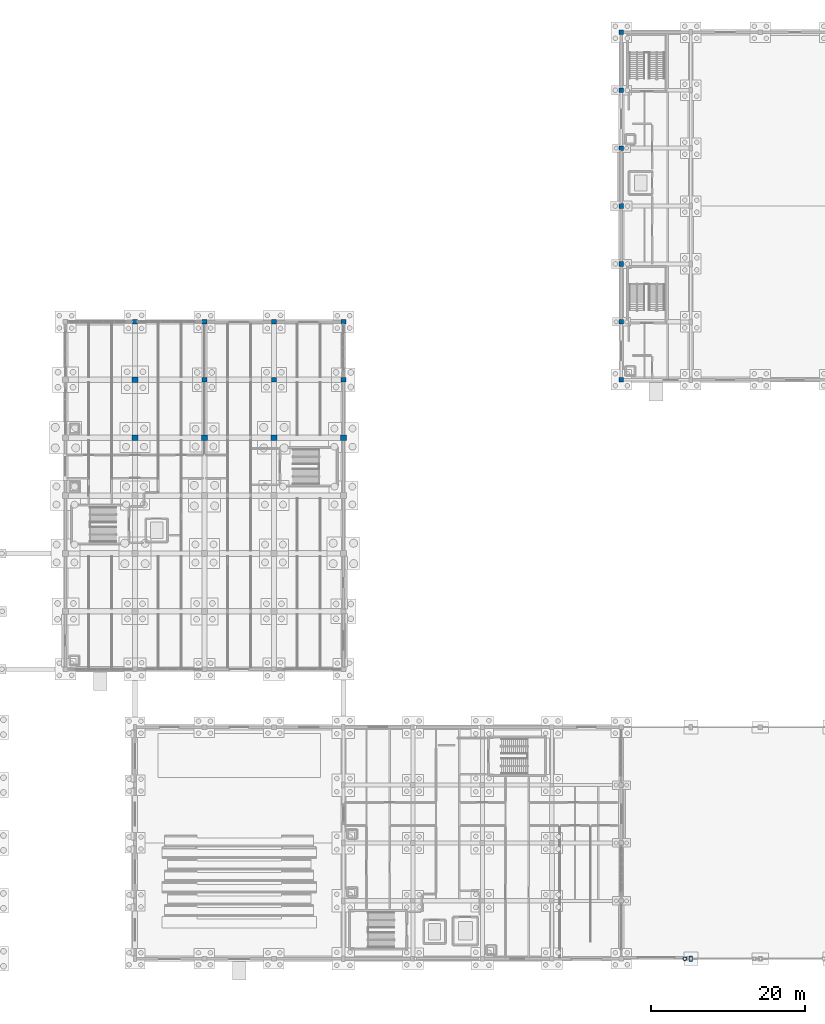
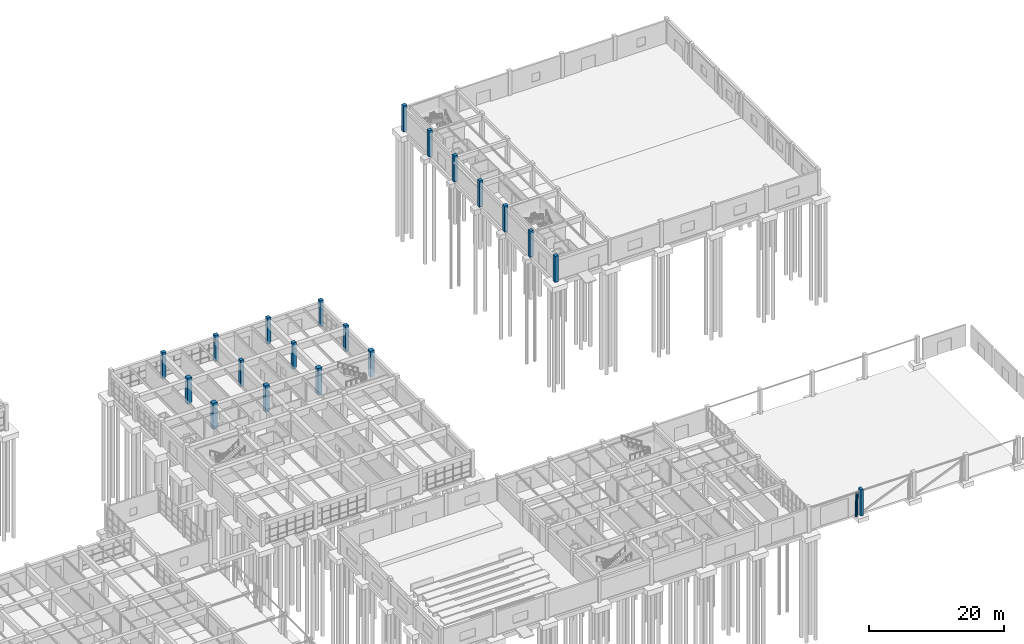
# One storey, part 13 of 93: 21 columns.
"""IFC4 building model written with IfcOpenShell, lengths in metres."""

from ifc_helpers import new_model, si_unit, direction, frame, origin, origin_2d, place, context, subcontext, project, spatial, rectangle, hollow_circle, extrude, material, material_profile, profile_set, type_object, element, save


model = new_model("IFC4")

# Units and contexts
model_context = context("Model", 3, precision=1e-05, world=origin(), true_north=direction((0.0, 1.0)))
body_context = subcontext(model_context, "Body", "Model", "MODEL_VIEW")
ifc_project = project(units=[si_unit("LENGTHUNIT", "METRE"), si_unit("AREAUNIT", "SQUARE_METRE"), si_unit("VOLUMEUNIT", "CUBIC_METRE"), si_unit("PLANEANGLEUNIT", "RADIAN"), si_unit("MASSUNIT", "GRAM", prefix="KILO")], contexts=[model_context])

# Site, building, storey
site_placement = place(None, origin())
site = spatial("IfcSite", under=ifc_project, at=site_placement, CompositionType="ELEMENT")
building_placement = place(site_placement, origin())
building = spatial("IfcBuilding", under=site, at=building_placement, Name="Marnridge Secondary College", CompositionType="ELEMENT")
storey_placement = place(building_placement, origin())
storey = spatial("IfcBuildingStorey", under=building, at=storey_placement, Name="L00", CompositionType="ELEMENT", Elevation=0.0)

# Columns
ifc_material_1 = material(Name="Cold-formed steel Grade C350L0 (AS/NZS 1163, fy = 350 MPa)", Category="steel")
ifc_material_profile_1 = material_profile(ifc_material_1, hollow_circle(Radius=0.228515625, WallThickness=0.0126953125, at=origin_2d()), Name="457.0x12.7CHS")
ifc_profile_set_1 = profile_set([ifc_material_profile_1], Name="Cold-formed steel Grade C350L0 (AS/NZS 1163, fy = 350 MPa)")
column_type_1 = type_object("IfcColumnType", Name="CL-CHS457-EXT", PredefinedType="PILASTER", material=ifc_profile_set_1)
column_1_placement = place(storey_placement, frame((134.199951171875, 0.0, -0.25), z_axis=(0.02841796458, 0.0, 0.999596128088), x_axis=(0.0, 1.0, 0.0)))
element("IfcColumn", 1, at=column_1_placement, inside=storey, type_object=column_type_1, Name="Inclined pilaster strut CP-0648", PredefinedType="PILASTER", context=body_context, shape_type="SweptSolid", body=[
    extrude(hollow_circle(Radius=0.228515625, WallThickness=0.0126953125, at=origin_2d()), origin(), (0.0, 0.0, 1.0), 4.226806640625),
])
ifc_material_2 = material(Name="Concrete C40/50 (AS 3600 N40, 40 MPa)", Category="concrete")
ifc_material_profile_2 = material_profile(ifc_material_2, rectangle(XDim=0.449951171875, YDim=0.75, at=origin_2d()), Name="RC 450x750")
ifc_profile_set_2 = profile_set([ifc_material_profile_2], Name="Concrete C40/50 (AS 3600 N40, 40 MPa)")
column_type_2 = type_object("IfcColumnType", Name="CL-RC4575-EXT", PredefinedType="COLUMN", material=ifc_profile_set_2)
column_2_placement = place(storey_placement, frame((135.0, 0.0, -0.25), z_axis=(0.0, 0.0, 1.0), x_axis=(1.0, 0.0, 0.0)))
element("IfcColumn", 2, at=column_2_placement, inside=storey, type_object=column_type_2, Name="Column C-L00-0049", PredefinedType="COLUMN", context=body_context, shape_type="SweptSolid", body=[
    extrude(rectangle(XDim=0.449951171875, YDim=0.75, at=origin_2d()), origin(), (0.0, 0.0, 1.0), 4.75),
])
ifc_material_3 = material(Name="Concrete C40/50 (AS 3600 N40, 40 MPa)", Category="concrete")
ifc_material_profile_3 = material_profile(ifc_material_3, rectangle(XDim=0.60009765625, YDim=0.60009765625, at=origin_2d()), Name="RC 600x600")
ifc_profile_set_3 = profile_set([ifc_material_profile_3], Name="Concrete C40/50 (AS 3600 N40, 40 MPa)")
column_type_3 = type_object("IfcColumnType", Name="CL-RC600-EXT", PredefinedType="COLUMN", material=ifc_profile_set_3)
for number, where, z_axis, x_axis, name in (
    (3, (90.0, 75.0, -0.25), (0.0, 0.0, 1.0), (1.0, 0.0, 0.0), "Column C-L00-0448"),
    (4, (126.0, 75.0, -0.25), (0.0, 0.0, 1.0), (1.0, 0.0, 0.0), "Column C-L00-0452"),
    (5, (63.0, 82.5, -0.25), (0.0, 0.0, 1.0), (1.0, 0.0, 0.0), "Column C-L00-0485"),
    (6, (72.0, 82.5, -0.25), (0.0, 0.0, 1.0), (1.0, 0.0, 0.0), "Column C-L00-0488"),
    (7, (81.0, 82.5, -0.25), (0.0, 0.0, 1.0), (1.0, 0.0, 0.0), "Column C-L00-0491"),
    (8, (90.0, 82.5, -0.25), (0.0, 0.0, 1.0), (1.0, 0.0, 0.0), "Column C-L00-0494"),
    (9, (126.0, 82.5, -0.25), (0.0, 0.0, 1.0), (1.0, 0.0, 0.0), "Column C-L00-0497"),
    (10, (126.0, 90.0, -0.25), (0.0, 0.0, 1.0), (1.0, 0.0, 0.0), "Column C-L00-0523"),
    (11, (126.0, 97.5, -0.25), (0.0, 0.0, 1.0), (1.0, 0.0, 0.0), "Column C-L00-0549"),
    (12, (126.0, 105.0, -0.25), (0.0, 0.0, 1.0), (1.0, 0.0, 0.0), "Column C-L00-0575"),
    (13, (126.0, 112.5, -0.25), (0.0, 0.0, 1.0), (1.0, 0.0, 0.0), "Column C-L00-0601"),
    (14, (126.0, 120.0, -0.25), (0.0, 0.0, 1.0), (1.0, 0.0, 0.0), "Column C-L00-0627"),
):
    element("IfcColumn", number, at=place(storey_placement, frame(where, z_axis=z_axis, x_axis=x_axis)), inside=storey, type_object=column_type_3, Name=name, PredefinedType="COLUMN", context=body_context, shape_type="SweptSolid", body=[
        extrude(rectangle(XDim=0.60009765625, YDim=0.60009765625, at=origin_2d()), origin(), (0.0, 0.0, 1.0), 4.75),
    ])
ifc_material_4 = material(Name="Concrete C40/50 (AS 3600 N40, 40 MPa)", Category="concrete")
ifc_material_profile_4 = material_profile(ifc_material_4, rectangle(XDim=0.60009765625, YDim=0.60009765625, at=origin_2d()), Name="RC 600x600")
ifc_profile_set_4 = profile_set([ifc_material_profile_4], Name="Concrete C40/50 (AS 3600 N40, 40 MPa)")
column_type_4 = type_object("IfcColumnType", Name="CL-RC600-INT", PredefinedType="COLUMN", material=ifc_profile_set_4)
for number, where, z_axis, x_axis, name in (
    (15, (72.0, 75.0, -0.25), (0.0, 0.0, 1.0), (1.0, 0.0, 0.0), "Column C-L00-0440"),
    (16, (81.0, 75.0, -0.25), (0.0, 0.0, 1.0), (1.0, 0.0, 0.0), "Column C-L00-0444"),
):
    element("IfcColumn", number, at=place(storey_placement, frame(where, z_axis=z_axis, x_axis=x_axis)), inside=storey, type_object=column_type_4, Name=name, PredefinedType="COLUMN", context=body_context, shape_type="SweptSolid", body=[
        extrude(rectangle(XDim=0.60009765625, YDim=0.60009765625, at=origin_2d()), origin(), (0.0, 0.0, 1.0), 4.75),
    ])
ifc_material_5 = material(Name="Concrete C50/60 (AS 3600 N50, 50 MPa)", Category="concrete")
ifc_material_profile_5 = material_profile(ifc_material_5, rectangle(XDim=0.75, YDim=0.75, at=origin_2d()), Name="RC 750x750")
ifc_profile_set_5 = profile_set([ifc_material_profile_5], Name="Concrete C50/60 (AS 3600 N50, 50 MPa)")
column_type_5 = type_object("IfcColumnType", Name="CL-RC750-EXT", PredefinedType="COLUMN", material=ifc_profile_set_5)
column_3_placement = place(storey_placement, frame((90.0, 67.5, -0.25), z_axis=(0.0, 0.0, 1.0), x_axis=(1.0, 0.0, 0.0)))
element("IfcColumn", 17, at=column_3_placement, inside=storey, type_object=column_type_5, Name="Column C-L00-0414", PredefinedType="COLUMN", context=body_context, shape_type="SweptSolid", body=[
    extrude(rectangle(XDim=0.75, YDim=0.75, at=origin_2d()), origin(), (0.0, 0.0, 1.0), 4.75),
])
ifc_material_6 = material(Name="Concrete C50/60 (AS 3600 N50, 50 MPa)", Category="concrete")
ifc_material_profile_6 = material_profile(ifc_material_6, rectangle(XDim=0.75, YDim=0.75, at=origin_2d()), Name="RC 750x750")
ifc_profile_set_6 = profile_set([ifc_material_profile_6], Name="Concrete C50/60 (AS 3600 N50, 50 MPa)")
column_type_6 = type_object("IfcColumnType", Name="CL-RC750-INT", PredefinedType="COLUMN", material=ifc_profile_set_6)
for number, where, z_axis, x_axis, name in (
    (18, (63.0, 67.5, -0.25), (0.0, 0.0, 1.0), (1.0, 0.0, 0.0), "Column C-L00-0393"),
    (19, (72.0, 67.5, -0.25), (0.0, 0.0, 1.0), (1.0, 0.0, 0.0), "Column C-L00-0400"),
    (20, (81.0, 67.5, -0.25), (0.0, 0.0, 1.0), (1.0, 0.0, 0.0), "Column C-L00-0407"),
    (21, (63.0, 75.0, -0.25), (0.0, 0.0, 1.0), (1.0, 0.0, 0.0), "Column C-L00-0435"),
):
    element("IfcColumn", number, at=place(storey_placement, frame(where, z_axis=z_axis, x_axis=x_axis)), inside=storey, type_object=column_type_6, Name=name, PredefinedType="COLUMN", context=body_context, shape_type="SweptSolid", body=[
        extrude(rectangle(XDim=0.75, YDim=0.75, at=origin_2d()), origin(), (0.0, 0.0, 1.0), 4.75),
    ])

save(model, "model.ifc")
